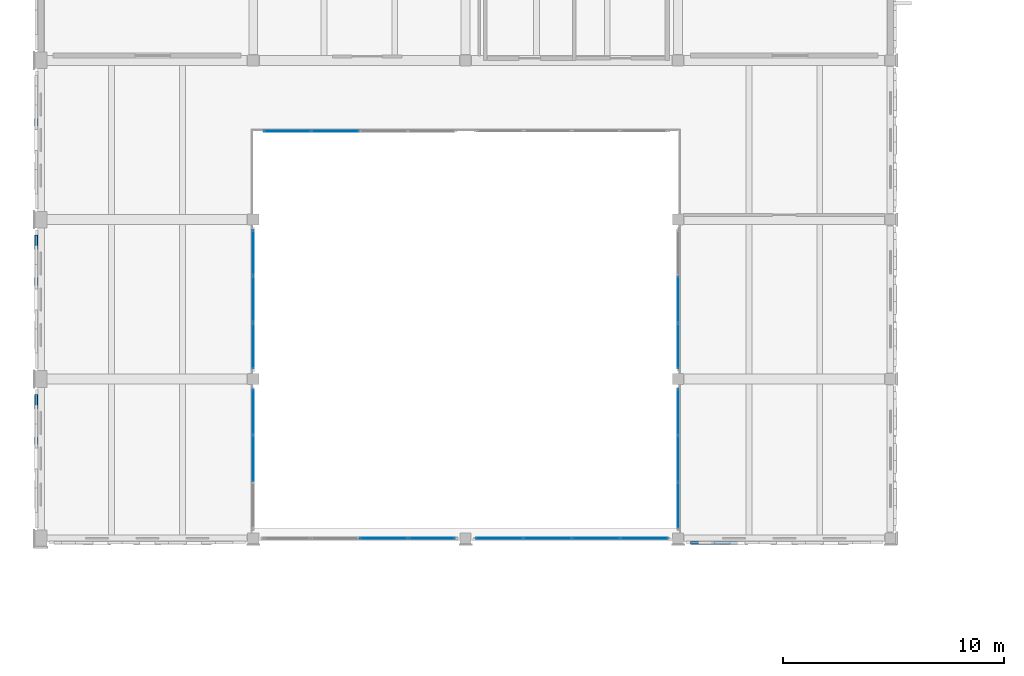
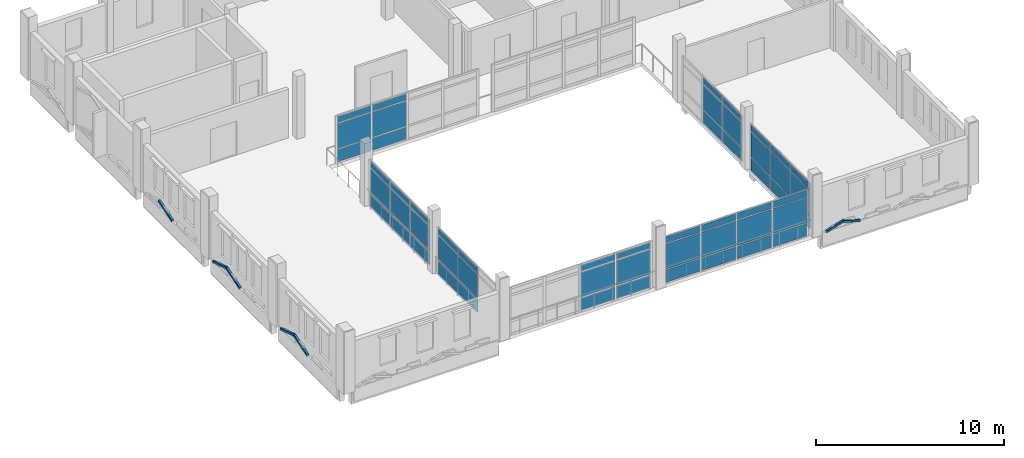
# One storey, part 13 of 24: 61 plates, 7 elements without a shape of their own.
"""IFC4 building model written with IfcOpenShell, lengths in metres."""

import ifcopenshell
import ifcopenshell.guid

model = None  # the IFC model being written
_history = None  # IfcOwnerHistory: only IFC2X3 demands one
_inside = {}  # id of a spatial element -> (the spatial element, [elements in it])
_under = {}  # id of a project, library or spatial element -> (it, [spatial elements below it])
_declared = {}  # id of a project -> (the project, [libraries it declares])
_typed = {}  # id of a type object -> (the type object, [elements of that type])
_made_of = {}  # id of a material, layer set ... -> (it, [elements and type objects made of it])


def new_model(schema):
    """Start an empty IFC model of exactly this schema.

    Asked for "IFC4X3", IfcOpenShell would pick the latest addendum, in which some entities
    have other attributes; the version numbers below select the first issue.
    IFC2X3 requires an IfcOwnerHistory on every rooted entity: one is made here for all.
    """
    global model, _history
    if schema == "IFC4X3":
        model = ifcopenshell.file(schema_version=(4, 3, 0, 0))
    else:
        model = ifcopenshell.file(schema=schema)
    _inside.clear()
    _under.clear()
    _declared.clear()
    _typed.clear()
    _made_of.clear()
    _history = None
    if model.schema == "IFC2X3":
        org = make("IfcOrganization", Name="unknown")
        user = make(
            "IfcPersonAndOrganization",
            ThePerson=make("IfcPerson", FamilyName="unknown"),
            TheOrganization=org,
        )
        app = make(
            "IfcApplication",
            ApplicationDeveloper=org,
            Version="unknown",
            ApplicationFullName="unknown",
            ApplicationIdentifier="unknown",
        )
        _history = make(
            "IfcOwnerHistory",
            OwningUser=user,
            OwningApplication=app,
            ChangeAction="ADDED",
            CreationDate=0,
        )
    return model


def make(cls, **values):
    """One entity of the class cls with the attributes given. An attribute that is None is left unset."""
    return model.create_entity(
        cls, **{name: value for name, value in values.items() if value is not None}
    )


def rooted(cls, **values):
    """An entity with a GlobalId (a new one), such as an element, a storey or a relation."""
    return make(cls, GlobalId=ifcopenshell.guid.new(), OwnerHistory=_history, **values)


def si_unit(unit_type, name, prefix=None):
    """IfcSIUnit, for example si_unit("LENGTHUNIT", "METRE", prefix="MILLI")."""
    return make("IfcSIUnit", UnitType=unit_type, Prefix=prefix, Name=name)


def assignment(units):
    """IfcUnitAssignment: the units of a project."""
    return None if units is None else make("IfcUnitAssignment", Units=units)


def point(xyz):
    """IfcCartesianPoint."""
    return None if xyz is None else make("IfcCartesianPoint", Coordinates=xyz)


def direction(xyz):
    """IfcDirection."""
    return None if xyz is None else make("IfcDirection", DirectionRatios=xyz)


def frame(location, z_axis=None, x_axis=None):
    """IfcAxis2Placement3D, a coordinate frame: its origin and axes. An axis left out is left unset."""
    return make(
        "IfcAxis2Placement3D",
        Location=point(location),
        Axis=direction(z_axis),
        RefDirection=direction(x_axis),
    )


def frame_2d(location, x_axis=None):
    """IfcAxis2Placement2D, a coordinate frame in the plane: its origin and x axis."""
    return make(
        "IfcAxis2Placement2D", Location=point(location), RefDirection=direction(x_axis)
    )


def origin():
    """The frame at (0, 0, 0) with its axes left unset."""
    return frame((0.0, 0.0, 0.0))


def origin_2d():
    """The frame at (0, 0) in the plane with its x axis left unset."""
    return frame_2d((0.0, 0.0))


def place(relative_to, where):
    """IfcLocalPlacement: puts the frame where relative to a parent placement (None: the world)."""
    return make(
        "IfcLocalPlacement", PlacementRelTo=relative_to, RelativePlacement=where
    )


def context(
    kind, dimensions, precision=None, world=None, true_north=None, identifier=None
):
    """IfcGeometricRepresentationContext, for example the 3D "Model" context."""
    return make(
        "IfcGeometricRepresentationContext",
        ContextIdentifier=identifier,
        ContextType=kind,
        CoordinateSpaceDimension=dimensions,
        Precision=precision,
        WorldCoordinateSystem=world,
        TrueNorth=true_north,
    )


def subcontext(parent, identifier, kind, view, scale=None):
    """IfcGeometricRepresentationSubContext, for example "Body" below "Model"."""
    return make(
        "IfcGeometricRepresentationSubContext",
        ContextIdentifier=identifier,
        ContextType=kind,
        ParentContext=parent,
        TargetScale=scale,
        TargetView=view,
    )


def project(units=None, contexts=None):
    """IfcProject with its units and contexts."""
    return rooted(
        "IfcProject",
        Name="project",
        RepresentationContexts=contexts,
        UnitsInContext=assignment(units),
    )


def spatial(cls, under=None, at=None, **own):
    """A site, building, storey or space (cls), placed at a placement, below another one or the project."""
    s = rooted(cls, ObjectPlacement=at, **own)
    if under is not None:
        _under.setdefault(under.id(), (under, []))[1].append(s)
    return s


def profile(cls, at=None, kind="AREA", **sizes):
    """A parametric profile (cls). Its sizes go by their IFC names, for example OverallWidth=200.0."""
    return make(cls, ProfileType=kind, Position=at, **sizes)


def rectangle(**sizes):
    """IfcRectangleProfileDef."""
    return profile("IfcRectangleProfileDef", **sizes)


def hollow_rectangle(**sizes):
    """IfcRectangleHollowProfileDef."""
    return profile("IfcRectangleHollowProfileDef", **sizes)


def extrude(swept, where, along, depth):
    """IfcExtrudedAreaSolid: the profile swept, set in the frame where, extruded along a direction by depth."""
    return make(
        "IfcExtrudedAreaSolid",
        SweptArea=swept,
        Position=where,
        ExtrudedDirection=direction(along),
        Depth=depth,
    )


def shape(context_of_items, identifier, shape_type, items):
    """IfcShapeRepresentation: the items that make up one representation, for example the "Body"."""
    return make(
        "IfcShapeRepresentation",
        ContextOfItems=context_of_items,
        RepresentationIdentifier=identifier,
        RepresentationType=shape_type,
        Items=items,
    )


def material(Name=None, Category=None):
    """IfcMaterial."""
    return make("IfcMaterial", Name=Name, Category=Category)


def layer(
    of_material, thickness, ventilated=None, Name=None, Category=None, Priority=None
):
    """IfcMaterialLayer: one layer of a wall or slab, of a material (None: an air gap)."""
    return make(
        "IfcMaterialLayer",
        Material=of_material,
        LayerThickness=thickness,
        IsVentilated=ventilated,
        Name=Name,
        Category=Category,
        Priority=Priority,
    )


def layer_set(layers, Name=None):
    """IfcMaterialLayerSet."""
    return make("IfcMaterialLayerSet", MaterialLayers=layers, LayerSetName=Name)


def material_profile(
    of_material, cross_section, Name=None, Category=None, Priority=None
):
    """IfcMaterialProfile: a cross section and its material."""
    return make(
        "IfcMaterialProfile",
        Name=Name,
        Material=of_material,
        Profile=cross_section,
        Priority=Priority,
        Category=Category,
    )


def profile_set(profiles, Name=None, composite=None):
    """IfcMaterialProfileSet."""
    return make(
        "IfcMaterialProfileSet",
        Name=Name,
        MaterialProfiles=profiles,
        CompositeProfile=composite,
    )


def made_of(thing, what):
    """Note that an element or type object is made of a material, layer set ...; save() writes the relation."""
    if what is not None:
        _made_of.setdefault(what.id(), (what, []))[1].append(thing)
    return thing


def type_object(cls, material=None, **own):
    """A type object (cls), such as IfcWallType, which elements share."""
    return made_of(rooted(cls, **own), material)


def element(
    cls,
    number,
    at=None,
    inside=None,
    cuts=None,
    type_object=None,
    material=None,
    context=None,
    identifier="Body",
    shape_type=None,
    held_by="IfcProductDefinitionShape",
    body=None,
    shapes=None,
    **own,
):
    """One element of the class cls, such as IfcWall. Its Tag is "e" and its number.

    at: its placement. inside: the storey or other place that contains it. cuts: it is an
    opening in that element (IfcRelVoidsElement). A single representation is given by context,
    identifier, shape_type and body (its items); several are given by shapes. held_by: the class
    of the entity that holds the representations. save() writes the other relations.
    """
    e = rooted(cls, Tag="e%d" % number, ObjectPlacement=at, **own)
    if body is not None:
        shapes = [shape(context, identifier, shape_type, body)]
    if shapes is not None:
        e.Representation = make(held_by, Representations=shapes)
    if inside is not None:
        _inside.setdefault(inside.id(), (inside, []))[1].append(e)
    if cuts is not None:
        rooted(
            "IfcRelVoidsElement", RelatingBuildingElement=cuts, RelatedOpeningElement=e
        )
    if type_object is not None:
        _typed.setdefault(type_object.id(), (type_object, []))[1].append(e)
    return made_of(e, material)


def aggregate(whole, parts):
    """IfcRelAggregates: a whole, such as a stair, and the parts it consists of."""
    return rooted("IfcRelAggregates", RelatingObject=whole, RelatedObjects=parts)


def save(model, path):
    """Write the relations noted so far, then the file.

    IfcRelAggregates (storeys below a building ...), IfcRelContainedInSpatialStructure (elements
    in a storey), IfcRelDefinesByType, IfcRelAssociatesMaterial and IfcRelDeclares: one each for
    every whole, place, type object, material and project.
    """
    for whole, parts in _under.values():
        aggregate(whole, parts)
    for where, things in _inside.values():
        rooted(
            "IfcRelContainedInSpatialStructure",
            RelatedElements=things,
            RelatingStructure=where,
        )
    for kind, things in _typed.values():
        rooted("IfcRelDefinesByType", RelatedObjects=things, RelatingType=kind)
    for what, things in _made_of.values():
        rooted("IfcRelAssociatesMaterial", RelatedObjects=things, RelatingMaterial=what)
    for by, libraries in _declared.values():
        rooted("IfcRelDeclares", RelatingContext=by, RelatedDefinitions=libraries)
    model.write(path)


model = new_model("IFC4")

# Units and contexts
model_context = context("Model", 3, precision=1e-05, world=origin(), true_north=direction((0.0, 1.0)))
body_context = subcontext(model_context, "Body", "Model", "MODEL_VIEW")
ifc_project = project(units=[si_unit("LENGTHUNIT", "METRE"), si_unit("AREAUNIT", "SQUARE_METRE"), si_unit("VOLUMEUNIT", "CUBIC_METRE"), si_unit("PLANEANGLEUNIT", "RADIAN"), si_unit("MASSUNIT", "GRAM", prefix="KILO")], contexts=[model_context])

# Site, building, storey
site_placement = place(None, origin())
site = spatial("IfcSite", under=ifc_project, at=site_placement, CompositionType="ELEMENT")
building_placement = place(site_placement, origin())
building = spatial("IfcBuilding", under=site, at=building_placement, Name="Asteropetra Specialist Clinic", CompositionType="ELEMENT")
storey_placement = place(building_placement, frame((0.0, 0.0, 20.739990234375)))
storey = spatial("IfcBuildingStorey", under=building, at=storey_placement, Name="L05", CompositionType="ELEMENT", Elevation=20.739990234375)

# Plates
ifc_material_1 = material(Name="Chevron emerald aluminium 6063-T6", Category="aluminium")
ifc_material_profile = material_profile(ifc_material_1, hollow_rectangle(XDim=0.139892578125, YDim=0.139892578125, WallThickness=0.008056640625, InnerFilletRadius=0.008056640625, OuterFilletRadius=0.01611328125, at=origin_2d()), Name="SHS 140x140x8.0")
ifc_profile_set = profile_set([ifc_material_profile], Name="Chevron emerald aluminium 6063-T6")
plate_type_1 = type_object("IfcPlateType", Name="CHV-RIB-140", PredefinedType="SHEET", material=ifc_profile_set)
for number, where, z_axis, x_axis, name in (
    (1, (29.389892578125, 76.593017578125, 0.080078125), (0.952098462736, 0.0, 0.305791623914), (0.0, 1.0, 0.0), "Chevron Facade Screen Fin CVR-1661"),
    (2, (30.427490234375, 76.593017578125, 0.413330078125), (0.952098462736, 0.0, -0.305791623914), (0.0, 1.0, 0.0), "Chevron Facade Screen Fin CVR-1662"),
):
    element("IfcPlate", number, at=place(storey_placement, frame(where, z_axis=z_axis, x_axis=x_axis)), inside=storey, type_object=plate_type_1, Name=name, PredefinedType="SHEET", context=body_context, shape_type="SweptSolid", body=[
        extrude(hollow_rectangle(XDim=0.139892578125, YDim=0.139892578125, WallThickness=0.008056640625, InnerFilletRadius=0.008056640625, OuterFilletRadius=0.01611328125, at=origin_2d()), origin(), (0.0, 0.0, 1.0), 1.08984375),
    ])
plate_1_placement = place(storey_placement, frame((-0.20703125, 83.284912109375, 0.080078125), z_axis=(0.0, -0.952491984317, 0.304563654777), x_axis=(1.0, 0.0, 0.0)))
element("IfcPlate", 3, at=plate_1_placement, inside=storey, type_object=plate_type_1, Name="Chevron Facade Screen Fin CVR-1668", PredefinedType="SHEET", context=body_context, shape_type="SweptSolid", body=[
    extrude(hollow_rectangle(XDim=0.139892578125, YDim=0.139892578125, WallThickness=0.008056640625, InnerFilletRadius=0.008056640625, OuterFilletRadius=0.01611328125, at=origin_2d()), origin(), (0.0, 0.0, 1.0), 1.50390625),
])
for number, where, z_axis, x_axis, name in (
    (4, (-0.20703125, 81.8525390625, 0.5380859375), (0.0, -0.952507040007, -0.304516565619), (1.0, 0.0, 0.0), "Chevron Facade Screen Fin CVR-1669"),
    (5, (-0.20703125, 90.485107421875, 0.080078125), (0.0, -0.952507040007, 0.304516565619), (1.0, 0.0, 0.0), "Chevron Facade Screen Fin CVR-1674"),
):
    element("IfcPlate", number, at=place(storey_placement, frame(where, z_axis=z_axis, x_axis=x_axis)), inside=storey, type_object=plate_type_1, Name=name, PredefinedType="SHEET", context=body_context, shape_type="SweptSolid", body=[
        extrude(hollow_rectangle(XDim=0.139892578125, YDim=0.139892578125, WallThickness=0.008056640625, InnerFilletRadius=0.008056640625, OuterFilletRadius=0.01611328125, at=origin_2d()), origin(), (0.0, 0.0, 1.0), 1.504150390625),
    ])
for number, where, z_axis, x_axis, name in (
    (6, (-0.20703125, 89.052490234375, 0.5380859375), (0.0, -0.952491984317, -0.304563654777), (1.0, 0.0, 0.0), "Chevron Facade Screen Fin CVR-1675"),
    (7, (-0.20703125, 96.25244140625, 0.5380859375), (0.0, -0.952491984317, -0.304563654777), (1.0, 0.0, 0.0), "Chevron Facade Screen Fin CVR-1681"),
):
    element("IfcPlate", number, at=place(storey_placement, frame(where, z_axis=z_axis, x_axis=x_axis)), inside=storey, type_object=plate_type_1, Name=name, PredefinedType="SHEET", context=body_context, shape_type="SweptSolid", body=[
        extrude(hollow_rectangle(XDim=0.139892578125, YDim=0.139892578125, WallThickness=0.008056640625, InnerFilletRadius=0.008056640625, OuterFilletRadius=0.01611328125, at=origin_2d()), origin(), (0.0, 0.0, 1.0), 1.50390625),
    ])

# Curtain wall, plates
ifc_material_2 = material(Name="Aluminium and low-E glass", Category="aluminium")
ifc_layer_1 = layer(ifc_material_2, 0.135009765625)
ifc_layer_set_1 = layer_set([ifc_layer_1], Name="Aluminium and low-E glass")
curtain_wall_type_1 = type_object("IfcCurtainWallType", Name="CW-SYS-06", PredefinedType="USERDEFINED", material=ifc_layer_set_1)
curtain_wall_1_placement = place(storey_placement, origin())
curtain_wall_1 = element("IfcCurtainWall", 8, at=curtain_wall_1_placement, inside=storey, type_object=curtain_wall_type_1, Name="Curtain Wall CW-064", ObjectType="UNITISED CURTAIN WALL", PredefinedType="USERDEFINED")
ifc_material_3 = material(Name="Low-E double glazing", Category="glass")
ifc_layer_2 = layer(ifc_material_3, 0.028076171875)
ifc_layer_set_2 = layer_set([ifc_layer_2], Name="Low-E double glazing")
plate_type_2 = type_object("IfcPlateType", Name="CWP-GLZ-28", PredefinedType="CURTAIN_PANEL", material=ifc_layer_set_2)
plate_2_placement = place(storey_placement, frame((28.800048828125, 85.489501953125, 0.06494140625), z_axis=(0.0, 0.0, 1.0), x_axis=(0.0, 1.0, 0.0)))
plate_2 = element("IfcPlate", 9, at=plate_2_placement, type_object=plate_type_2, Name="CW-064 panel 1.1", PredefinedType="CURTAIN_PANEL", context=body_context, shape_type="SweptSolid", body=[
    extrude(rectangle(XDim=2.029052734375, YDim=0.028076171875, at=origin_2d()), origin(), (0.0, 0.0, 1.0), 0.802490234375),
])
plate_3_placement = place(storey_placement, frame((28.800048828125, 85.489501953125, 0.9326171875), z_axis=(0.0, 0.0, 1.0), x_axis=(0.0, 1.0, 0.0)))
plate_3 = element("IfcPlate", 10, at=plate_3_placement, type_object=plate_type_2, Name="CW-064 panel 1.2", PredefinedType="CURTAIN_PANEL", context=body_context, shape_type="SweptSolid", body=[
    extrude(rectangle(XDim=2.029052734375, YDim=0.028076171875, at=origin_2d()), origin(), (0.0, 0.0, 1.0), 1.614990234375),
])
plate_4_placement = place(storey_placement, frame((28.800048828125, 85.489501953125, 2.6123046875), z_axis=(0.0, 0.0, 1.0), x_axis=(0.0, 1.0, 0.0)))
plate_4 = element("IfcPlate", 11, at=plate_4_placement, type_object=plate_type_2, Name="CW-064 panel 1.3", PredefinedType="CURTAIN_PANEL", context=body_context, shape_type="SweptSolid", body=[
    extrude(rectangle(XDim=2.029052734375, YDim=0.028076171875, at=origin_2d()), origin(), (0.0, 0.0, 1.0), 0.402587890625),
])
plate_5_placement = place(storey_placement, frame((28.800048828125, 87.60009765625, 0.06494140625), z_axis=(0.0, 0.0, 1.0), x_axis=(0.0, 1.0, 0.0)))
plate_5 = element("IfcPlate", 12, at=plate_5_placement, type_object=plate_type_2, Name="CW-064 panel 2.1", PredefinedType="CURTAIN_PANEL", context=body_context, shape_type="SweptSolid", body=[
    extrude(rectangle(XDim=2.061767578125, YDim=0.028076171875, at=origin_2d()), origin(), (0.0, 0.0, 1.0), 0.802490234375),
])
plate_6_placement = place(storey_placement, frame((28.800048828125, 87.60009765625, 0.9326171875), z_axis=(0.0, 0.0, 1.0), x_axis=(0.0, 1.0, 0.0)))
plate_6 = element("IfcPlate", 13, at=plate_6_placement, type_object=plate_type_2, Name="CW-064 panel 2.2", PredefinedType="CURTAIN_PANEL", context=body_context, shape_type="SweptSolid", body=[
    extrude(rectangle(XDim=2.061767578125, YDim=0.028076171875, at=origin_2d()), origin(), (0.0, 0.0, 1.0), 1.614990234375),
])
plate_7_placement = place(storey_placement, frame((28.800048828125, 87.60009765625, 2.6123046875), z_axis=(0.0, 0.0, 1.0), x_axis=(0.0, 1.0, 0.0)))
plate_7 = element("IfcPlate", 14, at=plate_7_placement, type_object=plate_type_2, Name="CW-064 panel 2.3", PredefinedType="CURTAIN_PANEL", context=body_context, shape_type="SweptSolid", body=[
    extrude(rectangle(XDim=2.061767578125, YDim=0.028076171875, at=origin_2d()), origin(), (0.0, 0.0, 1.0), 0.402587890625),
])
aggregate(curtain_wall_1, [plate_2, plate_3, plate_4, plate_5, plate_6, plate_7])

ifc_material_4 = material(Name="Aluminium and low-E glass", Category="aluminium")
ifc_layer_3 = layer(ifc_material_4, 0.14990234375)
ifc_layer_set_3 = layer_set([ifc_layer_3], Name="Aluminium and low-E glass")
curtain_wall_type_2 = type_object("IfcCurtainWallType", Name="CW-SYS-02", PredefinedType="USERDEFINED", material=ifc_layer_set_3)
curtain_wall_2_placement = place(storey_placement, origin())
curtain_wall_2 = element("IfcCurtainWall", 15, at=curtain_wall_2_placement, inside=storey, type_object=curtain_wall_type_2, Name="Curtain Wall CW-057", ObjectType="UNITISED CURTAIN WALL", PredefinedType="USERDEFINED")
ifc_material_5 = material(Name="Low-E acoustic double glazing", Category="glass")
ifc_layer_4 = layer(ifc_material_5, 0.031982421875)
ifc_layer_set_4 = layer_set([ifc_layer_4], Name="Low-E acoustic double glazing")
plate_type_3 = type_object("IfcPlateType", Name="CWP-GLZ-32", PredefinedType="CURTAIN_PANEL", material=ifc_layer_set_4)
plate_8_placement = place(storey_placement, frame((15.49755859375, 76.800048828125, 0.074951171875), z_axis=(0.0, 0.0, 1.0), x_axis=(1.0, 0.0, 0.0)))
plate_8 = element("IfcPlate", 16, at=plate_8_placement, type_object=plate_type_3, Name="CW-057 panel 3.1", PredefinedType="CURTAIN_PANEL", context=body_context, shape_type="SweptSolid", body=[
    extrude(rectangle(XDim=2.1201171875, YDim=0.031982421875, at=origin_2d()), origin(), (0.0, 0.0, 1.0), 0.78759765625),
])
plate_9_placement = place(storey_placement, frame((15.49755859375, 76.800048828125, 0.9375), z_axis=(0.0, 0.0, 1.0), x_axis=(1.0, 0.0, 0.0)))
plate_9 = element("IfcPlate", 17, at=plate_9_placement, type_object=plate_type_3, Name="CW-057 panel 3.2", PredefinedType="CURTAIN_PANEL", context=body_context, shape_type="SweptSolid", body=[
    extrude(rectangle(XDim=2.1201171875, YDim=0.031982421875, at=origin_2d()), origin(), (0.0, 0.0, 1.0), 1.60498046875),
])
plate_10_placement = place(storey_placement, frame((15.49755859375, 76.800048828125, 2.61767578125), z_axis=(0.0, 0.0, 1.0), x_axis=(1.0, 0.0, 0.0)))
plate_10 = element("IfcPlate", 18, at=plate_10_placement, type_object=plate_type_3, Name="CW-057 panel 3.3", PredefinedType="CURTAIN_PANEL", context=body_context, shape_type="SweptSolid", body=[
    extrude(rectangle(XDim=2.1201171875, YDim=0.031982421875, at=origin_2d()), origin(), (0.0, 0.0, 1.0), 0.387451171875),
])
plate_11_placement = place(storey_placement, frame((17.673828125, 76.800048828125, 0.074951171875), z_axis=(0.0, 0.0, 1.0), x_axis=(1.0, 0.0, 0.0)))
plate_11 = element("IfcPlate", 19, at=plate_11_placement, type_object=plate_type_3, Name="CW-057 panel 4.1", PredefinedType="CURTAIN_PANEL", context=body_context, shape_type="SweptSolid", body=[
    extrude(rectangle(XDim=2.08251953125, YDim=0.031982421875, at=origin_2d()), origin(), (0.0, 0.0, 1.0), 0.78759765625),
])
plate_12_placement = place(storey_placement, frame((17.673828125, 76.800048828125, 0.9375), z_axis=(0.0, 0.0, 1.0), x_axis=(1.0, 0.0, 0.0)))
plate_12 = element("IfcPlate", 20, at=plate_12_placement, type_object=plate_type_3, Name="CW-057 panel 4.2", PredefinedType="CURTAIN_PANEL", context=body_context, shape_type="SweptSolid", body=[
    extrude(rectangle(XDim=2.08251953125, YDim=0.031982421875, at=origin_2d()), origin(), (0.0, 0.0, 1.0), 1.60498046875),
])
plate_13_placement = place(storey_placement, frame((17.673828125, 76.800048828125, 2.61767578125), z_axis=(0.0, 0.0, 1.0), x_axis=(1.0, 0.0, 0.0)))
plate_13 = element("IfcPlate", 21, at=plate_13_placement, type_object=plate_type_3, Name="CW-057 panel 4.3", PredefinedType="CURTAIN_PANEL", context=body_context, shape_type="SweptSolid", body=[
    extrude(rectangle(XDim=2.08251953125, YDim=0.031982421875, at=origin_2d()), origin(), (0.0, 0.0, 1.0), 0.387451171875),
])
aggregate(curtain_wall_2, [plate_8, plate_9, plate_10, plate_11, plate_12, plate_13])

ifc_material_6 = material(Name="Aluminium and low-E glass", Category="aluminium")
ifc_layer_5 = layer(ifc_material_6, 0.179931640625)
ifc_layer_set_5 = layer_set([ifc_layer_5], Name="Aluminium and low-E glass")
curtain_wall_type_3 = type_object("IfcCurtainWallType", Name="CW-SYS-04", PredefinedType="USERDEFINED", material=ifc_layer_set_5)
curtain_wall_3_placement = place(storey_placement, origin())
curtain_wall_3 = element("IfcCurtainWall", 22, at=curtain_wall_3_placement, inside=storey, type_object=curtain_wall_type_3, Name="Curtain Wall CW-061", ObjectType="UNITISED CURTAIN WALL", PredefinedType="USERDEFINED")
plate_14_placement = place(storey_placement, frame((9.60009765625, 82.510498046875, 0.06494140625), z_axis=(0.0, 0.0, 1.0), x_axis=(0.0, -1.0, 0.0)))
plate_14 = element("IfcPlate", 23, at=plate_14_placement, type_object=plate_type_3, Name="CW-061 panel 1.1", PredefinedType="CURTAIN_PANEL", context=body_context, shape_type="SweptSolid", body=[
    extrude(rectangle(XDim=2.029052734375, YDim=0.031982421875, at=origin_2d()), origin(), (0.0, 0.0, 1.0), 0.802490234375),
])
plate_15_placement = place(storey_placement, frame((9.60009765625, 82.510498046875, 0.9326171875), z_axis=(0.0, 0.0, 1.0), x_axis=(0.0, -1.0, 0.0)))
plate_15 = element("IfcPlate", 24, at=plate_15_placement, type_object=plate_type_3, Name="CW-061 panel 1.2", PredefinedType="CURTAIN_PANEL", context=body_context, shape_type="SweptSolid", body=[
    extrude(rectangle(XDim=2.029052734375, YDim=0.031982421875, at=origin_2d()), origin(), (0.0, 0.0, 1.0), 1.614990234375),
])
plate_16_placement = place(storey_placement, frame((9.60009765625, 82.510498046875, 2.6123046875), z_axis=(0.0, 0.0, 1.0), x_axis=(0.0, -1.0, 0.0)))
plate_16 = element("IfcPlate", 25, at=plate_16_placement, type_object=plate_type_3, Name="CW-061 panel 1.3", PredefinedType="CURTAIN_PANEL", context=body_context, shape_type="SweptSolid", body=[
    extrude(rectangle(XDim=2.029052734375, YDim=0.031982421875, at=origin_2d()), origin(), (0.0, 0.0, 1.0), 0.402587890625),
])
plate_17_placement = place(storey_placement, frame((9.60009765625, 80.39990234375, 0.06494140625), z_axis=(0.0, 0.0, 1.0), x_axis=(0.0, -1.0, 0.0)))
plate_17 = element("IfcPlate", 26, at=plate_17_placement, type_object=plate_type_3, Name="CW-061 panel 2.1", PredefinedType="CURTAIN_PANEL", context=body_context, shape_type="SweptSolid", body=[
    extrude(rectangle(XDim=2.061767578125, YDim=0.031982421875, at=origin_2d()), origin(), (0.0, 0.0, 1.0), 0.802490234375),
])
plate_18_placement = place(storey_placement, frame((9.60009765625, 80.39990234375, 0.9326171875), z_axis=(0.0, 0.0, 1.0), x_axis=(0.0, -1.0, 0.0)))
plate_18 = element("IfcPlate", 27, at=plate_18_placement, type_object=plate_type_3, Name="CW-061 panel 2.2", PredefinedType="CURTAIN_PANEL", context=body_context, shape_type="SweptSolid", body=[
    extrude(rectangle(XDim=2.061767578125, YDim=0.031982421875, at=origin_2d()), origin(), (0.0, 0.0, 1.0), 1.614990234375),
])
plate_19_placement = place(storey_placement, frame((9.60009765625, 80.39990234375, 2.6123046875), z_axis=(0.0, 0.0, 1.0), x_axis=(0.0, -1.0, 0.0)))
plate_19 = element("IfcPlate", 28, at=plate_19_placement, type_object=plate_type_3, Name="CW-061 panel 2.3", PredefinedType="CURTAIN_PANEL", context=body_context, shape_type="SweptSolid", body=[
    extrude(rectangle(XDim=2.061767578125, YDim=0.031982421875, at=origin_2d()), origin(), (0.0, 0.0, 1.0), 0.402587890625),
])
aggregate(curtain_wall_3, [plate_14, plate_15, plate_16, plate_17, plate_18, plate_19])

ifc_material_7 = material(Name="Aluminium and low-E glass", Category="aluminium")
ifc_layer_6 = layer(ifc_material_7, 0.135009765625)
ifc_layer_set_6 = layer_set([ifc_layer_6], Name="Aluminium and low-E glass")
curtain_wall_type_4 = type_object("IfcCurtainWallType", Name="CW-SYS-03", PredefinedType="USERDEFINED", material=ifc_layer_set_6)
curtain_wall_4_placement = place(storey_placement, origin())
curtain_wall_4 = element("IfcCurtainWall", 29, at=curtain_wall_4_placement, inside=storey, type_object=curtain_wall_type_4, Name="Curtain Wall CW-058", ObjectType="UNITISED CURTAIN WALL", PredefinedType="USERDEFINED")
ifc_material_8 = material(Name="Solar-control triple glazing", Category="glass")
ifc_layer_7 = layer(ifc_material_8, 0.035888671875)
ifc_layer_set_7 = layer_set([ifc_layer_7], Name="Solar-control triple glazing")
plate_type_4 = type_object("IfcPlateType", Name="CWP-GLZ-36", PredefinedType="CURTAIN_PANEL", material=ifc_layer_set_7)
plate_20_placement = place(storey_placement, frame((13.31005859375, 95.199951171875, 0.06494140625), z_axis=(0.0, 0.0, 1.0), x_axis=(-1.0, 0.0, 0.0)))
plate_20 = element("IfcPlate", 30, at=plate_20_placement, type_object=plate_type_4, Name="CW-058 panel 3.1", PredefinedType="CURTAIN_PANEL", context=body_context, shape_type="SweptSolid", body=[
    extrude(rectangle(XDim=2.114990234375, YDim=0.035888671875, at=origin_2d()), origin(), (0.0, 0.0, 1.0), 0.802490234375),
])
plate_21_placement = place(storey_placement, frame((13.31005859375, 95.199951171875, 0.9326171875), z_axis=(0.0, 0.0, 1.0), x_axis=(-1.0, 0.0, 0.0)))
plate_21 = element("IfcPlate", 31, at=plate_21_placement, type_object=plate_type_4, Name="CW-058 panel 3.2", PredefinedType="CURTAIN_PANEL", context=body_context, shape_type="SweptSolid", body=[
    extrude(rectangle(XDim=2.114990234375, YDim=0.035888671875, at=origin_2d()), origin(), (0.0, 0.0, 1.0), 1.614990234375),
])
plate_22_placement = place(storey_placement, frame((13.31005859375, 95.199951171875, 2.6123046875), z_axis=(0.0, 0.0, 1.0), x_axis=(-1.0, 0.0, 0.0)))
plate_22 = element("IfcPlate", 32, at=plate_22_placement, type_object=plate_type_4, Name="CW-058 panel 3.3", PredefinedType="CURTAIN_PANEL", context=body_context, shape_type="SweptSolid", body=[
    extrude(rectangle(XDim=2.114990234375, YDim=0.035888671875, at=origin_2d()), origin(), (0.0, 0.0, 1.0), 0.402587890625),
])
plate_23_placement = place(storey_placement, frame((11.146240234375, 95.199951171875, 0.06494140625), z_axis=(0.0, 0.0, 1.0), x_axis=(-1.0, 0.0, 0.0)))
plate_23 = element("IfcPlate", 33, at=plate_23_placement, type_object=plate_type_4, Name="CW-058 panel 4.1", PredefinedType="CURTAIN_PANEL", context=body_context, shape_type="SweptSolid", body=[
    extrude(rectangle(XDim=2.08251953125, YDim=0.035888671875, at=origin_2d()), origin(), (0.0, 0.0, 1.0), 0.802490234375),
])
plate_24_placement = place(storey_placement, frame((11.146240234375, 95.199951171875, 0.9326171875), z_axis=(0.0, 0.0, 1.0), x_axis=(-1.0, 0.0, 0.0)))
plate_24 = element("IfcPlate", 34, at=plate_24_placement, type_object=plate_type_4, Name="CW-058 panel 4.2", PredefinedType="CURTAIN_PANEL", context=body_context, shape_type="SweptSolid", body=[
    extrude(rectangle(XDim=2.08251953125, YDim=0.035888671875, at=origin_2d()), origin(), (0.0, 0.0, 1.0), 1.614990234375),
])
plate_25_placement = place(storey_placement, frame((11.146240234375, 95.199951171875, 2.6123046875), z_axis=(0.0, 0.0, 1.0), x_axis=(-1.0, 0.0, 0.0)))
plate_25 = element("IfcPlate", 35, at=plate_25_placement, type_object=plate_type_4, Name="CW-058 panel 4.3", PredefinedType="CURTAIN_PANEL", context=body_context, shape_type="SweptSolid", body=[
    extrude(rectangle(XDim=2.08251953125, YDim=0.035888671875, at=origin_2d()), origin(), (0.0, 0.0, 1.0), 0.402587890625),
])
aggregate(curtain_wall_4, [plate_20, plate_21, plate_22, plate_23, plate_24, plate_25])

ifc_material_9 = material(Name="Aluminium and low-E glass", Category="aluminium")
ifc_layer_8 = layer(ifc_material_9, 0.14990234375)
ifc_layer_set_8 = layer_set([ifc_layer_8], Name="Aluminium and low-E glass")
curtain_wall_type_5 = type_object("IfcCurtainWallType", Name="CW-SYS-05", PredefinedType="USERDEFINED", material=ifc_layer_set_8)
curtain_wall_5_placement = place(storey_placement, origin())
curtain_wall_5 = element("IfcCurtainWall", 36, at=curtain_wall_5_placement, inside=storey, type_object=curtain_wall_type_5, Name="Curtain Wall CW-062", ObjectType="UNITISED CURTAIN WALL", PredefinedType="USERDEFINED")
plate_26_placement = place(storey_placement, frame((28.800048828125, 78.288330078125, 0.06005859375), z_axis=(0.0, 0.0, 1.0), x_axis=(0.0, 1.0, 0.0)))
plate_26 = element("IfcPlate", 37, at=plate_26_placement, type_object=plate_type_4, Name="CW-062 panel 1.1", PredefinedType="CURTAIN_PANEL", context=body_context, shape_type="SweptSolid", body=[
    extrude(rectangle(XDim=2.03662109375, YDim=0.035888671875, at=origin_2d()), origin(), (0.0, 0.0, 1.0), 0.81005859375),
])
plate_27_placement = place(storey_placement, frame((28.800048828125, 78.288330078125, 0.929931640625), z_axis=(0.0, 0.0, 1.0), x_axis=(0.0, 1.0, 0.0)))
plate_27 = element("IfcPlate", 38, at=plate_27_placement, type_object=plate_type_4, Name="CW-062 panel 1.2", PredefinedType="CURTAIN_PANEL", context=body_context, shape_type="SweptSolid", body=[
    extrude(rectangle(XDim=2.03662109375, YDim=0.035888671875, at=origin_2d()), origin(), (0.0, 0.0, 1.0), 1.6201171875),
])
plate_28_placement = place(storey_placement, frame((28.800048828125, 78.288330078125, 2.60986328125), z_axis=(0.0, 0.0, 1.0), x_axis=(0.0, 1.0, 0.0)))
plate_28 = element("IfcPlate", 39, at=plate_28_placement, type_object=plate_type_4, Name="CW-062 panel 1.3", PredefinedType="CURTAIN_PANEL", context=body_context, shape_type="SweptSolid", body=[
    extrude(rectangle(XDim=2.03662109375, YDim=0.035888671875, at=origin_2d()), origin(), (0.0, 0.0, 1.0), 0.409912109375),
])
plate_29_placement = place(storey_placement, frame((28.800048828125, 80.39990234375, 0.06005859375), z_axis=(0.0, 0.0, 1.0), x_axis=(0.0, 1.0, 0.0)))
plate_29 = element("IfcPlate", 40, at=plate_29_placement, type_object=plate_type_4, Name="CW-062 panel 2.1", PredefinedType="CURTAIN_PANEL", context=body_context, shape_type="SweptSolid", body=[
    extrude(rectangle(XDim=2.066650390625, YDim=0.035888671875, at=origin_2d()), origin(), (0.0, 0.0, 1.0), 0.81005859375),
])
plate_30_placement = place(storey_placement, frame((28.800048828125, 80.39990234375, 0.929931640625), z_axis=(0.0, 0.0, 1.0), x_axis=(0.0, 1.0, 0.0)))
plate_30 = element("IfcPlate", 41, at=plate_30_placement, type_object=plate_type_4, Name="CW-062 panel 2.2", PredefinedType="CURTAIN_PANEL", context=body_context, shape_type="SweptSolid", body=[
    extrude(rectangle(XDim=2.066650390625, YDim=0.035888671875, at=origin_2d()), origin(), (0.0, 0.0, 1.0), 1.6201171875),
])
plate_31_placement = place(storey_placement, frame((28.800048828125, 80.39990234375, 2.60986328125), z_axis=(0.0, 0.0, 1.0), x_axis=(0.0, 1.0, 0.0)))
plate_31 = element("IfcPlate", 42, at=plate_31_placement, type_object=plate_type_4, Name="CW-062 panel 2.3", PredefinedType="CURTAIN_PANEL", context=body_context, shape_type="SweptSolid", body=[
    extrude(rectangle(XDim=2.066650390625, YDim=0.035888671875, at=origin_2d()), origin(), (0.0, 0.0, 1.0), 0.409912109375),
])
plate_32_placement = place(storey_placement, frame((28.800048828125, 82.51171875, 0.06005859375), z_axis=(0.0, 0.0, 1.0), x_axis=(0.0, 1.0, 0.0)))
plate_32 = element("IfcPlate", 43, at=plate_32_placement, type_object=plate_type_4, Name="CW-062 panel 3.1", PredefinedType="CURTAIN_PANEL", context=body_context, shape_type="SweptSolid", body=[
    extrude(rectangle(XDim=2.03662109375, YDim=0.035888671875, at=origin_2d()), origin(), (0.0, 0.0, 1.0), 0.81005859375),
])
plate_33_placement = place(storey_placement, frame((28.800048828125, 82.51171875, 0.929931640625), z_axis=(0.0, 0.0, 1.0), x_axis=(0.0, 1.0, 0.0)))
plate_33 = element("IfcPlate", 44, at=plate_33_placement, type_object=plate_type_4, Name="CW-062 panel 3.2", PredefinedType="CURTAIN_PANEL", context=body_context, shape_type="SweptSolid", body=[
    extrude(rectangle(XDim=2.03662109375, YDim=0.035888671875, at=origin_2d()), origin(), (0.0, 0.0, 1.0), 1.6201171875),
])
plate_34_placement = place(storey_placement, frame((28.800048828125, 82.51171875, 2.60986328125), z_axis=(0.0, 0.0, 1.0), x_axis=(0.0, 1.0, 0.0)))
plate_34 = element("IfcPlate", 45, at=plate_34_placement, type_object=plate_type_4, Name="CW-062 panel 3.3", PredefinedType="CURTAIN_PANEL", context=body_context, shape_type="SweptSolid", body=[
    extrude(rectangle(XDim=2.03662109375, YDim=0.035888671875, at=origin_2d()), origin(), (0.0, 0.0, 1.0), 0.409912109375),
])
aggregate(curtain_wall_5, [plate_26, plate_27, plate_28, plate_29, plate_30, plate_31, plate_32, plate_33, plate_34])

curtain_wall_6_placement = place(storey_placement, origin())
curtain_wall_6 = element("IfcCurtainWall", 46, at=curtain_wall_6_placement, inside=storey, type_object=curtain_wall_type_4, Name="Curtain Wall CW-059", ObjectType="UNITISED CURTAIN WALL", PredefinedType="USERDEFINED")
ifc_material_10 = material(Name="Laminated skylight glazing", Category="glass")
ifc_layer_9 = layer(ifc_material_10, 0.0400390625)
ifc_layer_set_9 = layer_set([ifc_layer_9], Name="Laminated skylight glazing")
plate_type_5 = type_object("IfcPlateType", Name="CWP-GLZ-40", PredefinedType="CURTAIN_PANEL", material=ifc_layer_set_9)
plate_35_placement = place(storey_placement, frame((20.722412109375, 76.800048828125, 0.06005859375), z_axis=(0.0, 0.0, 1.0), x_axis=(1.0, 0.0, 0.0)))
plate_35 = element("IfcPlate", 47, at=plate_35_placement, type_object=plate_type_5, Name="CW-059 panel 1.1", PredefinedType="CURTAIN_PANEL", context=body_context, shape_type="SweptSolid", body=[
    extrude(rectangle(XDim=2.10498046875, YDim=0.0400390625, at=origin_2d()), origin(), (0.0, 0.0, 1.0), 0.81005859375),
])
plate_36_placement = place(storey_placement, frame((20.722412109375, 76.800048828125, 0.929931640625), z_axis=(0.0, 0.0, 1.0), x_axis=(1.0, 0.0, 0.0)))
plate_36 = element("IfcPlate", 48, at=plate_36_placement, type_object=plate_type_5, Name="CW-059 panel 1.2", PredefinedType="CURTAIN_PANEL", context=body_context, shape_type="SweptSolid", body=[
    extrude(rectangle(XDim=2.10498046875, YDim=0.0400390625, at=origin_2d()), origin(), (0.0, 0.0, 1.0), 1.6201171875),
])
plate_37_placement = place(storey_placement, frame((20.722412109375, 76.800048828125, 2.60986328125), z_axis=(0.0, 0.0, 1.0), x_axis=(1.0, 0.0, 0.0)))
plate_37 = element("IfcPlate", 49, at=plate_37_placement, type_object=plate_type_5, Name="CW-059 panel 1.3", PredefinedType="CURTAIN_PANEL", context=body_context, shape_type="SweptSolid", body=[
    extrude(rectangle(XDim=2.10498046875, YDim=0.0400390625, at=origin_2d()), origin(), (0.0, 0.0, 1.0), 0.409912109375),
])
plate_38_placement = place(storey_placement, frame((22.902587890625, 76.800048828125, 0.06005859375), z_axis=(0.0, 0.0, 1.0), x_axis=(1.0, 0.0, 0.0)))
plate_38 = element("IfcPlate", 50, at=plate_38_placement, type_object=plate_type_5, Name="CW-059 panel 2.1", PredefinedType="CURTAIN_PANEL", context=body_context, shape_type="SweptSolid", body=[
    extrude(rectangle(XDim=2.135009765625, YDim=0.0400390625, at=origin_2d()), origin(), (0.0, 0.0, 1.0), 0.81005859375),
])
plate_39_placement = place(storey_placement, frame((22.902587890625, 76.800048828125, 0.929931640625), z_axis=(0.0, 0.0, 1.0), x_axis=(1.0, 0.0, 0.0)))
plate_39 = element("IfcPlate", 51, at=plate_39_placement, type_object=plate_type_5, Name="CW-059 panel 2.2", PredefinedType="CURTAIN_PANEL", context=body_context, shape_type="SweptSolid", body=[
    extrude(rectangle(XDim=2.135009765625, YDim=0.0400390625, at=origin_2d()), origin(), (0.0, 0.0, 1.0), 1.6201171875),
])
plate_40_placement = place(storey_placement, frame((22.902587890625, 76.800048828125, 2.60986328125), z_axis=(0.0, 0.0, 1.0), x_axis=(1.0, 0.0, 0.0)))
plate_40 = element("IfcPlate", 52, at=plate_40_placement, type_object=plate_type_5, Name="CW-059 panel 2.3", PredefinedType="CURTAIN_PANEL", context=body_context, shape_type="SweptSolid", body=[
    extrude(rectangle(XDim=2.135009765625, YDim=0.0400390625, at=origin_2d()), origin(), (0.0, 0.0, 1.0), 0.409912109375),
])
plate_41_placement = place(storey_placement, frame((25.097412109375, 76.800048828125, 0.06005859375), z_axis=(0.0, 0.0, 1.0), x_axis=(1.0, 0.0, 0.0)))
plate_41 = element("IfcPlate", 53, at=plate_41_placement, type_object=plate_type_5, Name="CW-059 panel 3.1", PredefinedType="CURTAIN_PANEL", context=body_context, shape_type="SweptSolid", body=[
    extrude(rectangle(XDim=2.135009765625, YDim=0.0400390625, at=origin_2d()), origin(), (0.0, 0.0, 1.0), 0.81005859375),
])
plate_42_placement = place(storey_placement, frame((25.097412109375, 76.800048828125, 0.929931640625), z_axis=(0.0, 0.0, 1.0), x_axis=(1.0, 0.0, 0.0)))
plate_42 = element("IfcPlate", 54, at=plate_42_placement, type_object=plate_type_5, Name="CW-059 panel 3.2", PredefinedType="CURTAIN_PANEL", context=body_context, shape_type="SweptSolid", body=[
    extrude(rectangle(XDim=2.135009765625, YDim=0.0400390625, at=origin_2d()), origin(), (0.0, 0.0, 1.0), 1.6201171875),
])
plate_43_placement = place(storey_placement, frame((25.097412109375, 76.800048828125, 2.60986328125), z_axis=(0.0, 0.0, 1.0), x_axis=(1.0, 0.0, 0.0)))
plate_43 = element("IfcPlate", 55, at=plate_43_placement, type_object=plate_type_5, Name="CW-059 panel 3.3", PredefinedType="CURTAIN_PANEL", context=body_context, shape_type="SweptSolid", body=[
    extrude(rectangle(XDim=2.135009765625, YDim=0.0400390625, at=origin_2d()), origin(), (0.0, 0.0, 1.0), 0.409912109375),
])
plate_44_placement = place(storey_placement, frame((27.277587890625, 76.800048828125, 0.06005859375), z_axis=(0.0, 0.0, 1.0), x_axis=(1.0, 0.0, 0.0)))
plate_44 = element("IfcPlate", 56, at=plate_44_placement, type_object=plate_type_5, Name="CW-059 panel 4.1", PredefinedType="CURTAIN_PANEL", context=body_context, shape_type="SweptSolid", body=[
    extrude(rectangle(XDim=2.10498046875, YDim=0.0400390625, at=origin_2d()), origin(), (0.0, 0.0, 1.0), 0.81005859375),
])
plate_45_placement = place(storey_placement, frame((27.277587890625, 76.800048828125, 0.929931640625), z_axis=(0.0, 0.0, 1.0), x_axis=(1.0, 0.0, 0.0)))
plate_45 = element("IfcPlate", 57, at=plate_45_placement, type_object=plate_type_5, Name="CW-059 panel 4.2", PredefinedType="CURTAIN_PANEL", context=body_context, shape_type="SweptSolid", body=[
    extrude(rectangle(XDim=2.10498046875, YDim=0.0400390625, at=origin_2d()), origin(), (0.0, 0.0, 1.0), 1.6201171875),
])
plate_46_placement = place(storey_placement, frame((27.277587890625, 76.800048828125, 2.60986328125), z_axis=(0.0, 0.0, 1.0), x_axis=(1.0, 0.0, 0.0)))
plate_46 = element("IfcPlate", 58, at=plate_46_placement, type_object=plate_type_5, Name="CW-059 panel 4.3", PredefinedType="CURTAIN_PANEL", context=body_context, shape_type="SweptSolid", body=[
    extrude(rectangle(XDim=2.10498046875, YDim=0.0400390625, at=origin_2d()), origin(), (0.0, 0.0, 1.0), 0.409912109375),
])
aggregate(curtain_wall_6, [plate_35, plate_36, plate_37, plate_38, plate_39, plate_40, plate_41, plate_42, plate_43, plate_44, plate_45, plate_46])

curtain_wall_7_placement = place(storey_placement, origin())
curtain_wall_7 = element("IfcCurtainWall", 59, at=curtain_wall_7_placement, inside=storey, type_object=curtain_wall_type_5, Name="Curtain Wall CW-063", ObjectType="UNITISED CURTAIN WALL", PredefinedType="USERDEFINED")
plate_47_placement = place(storey_placement, frame((9.60009765625, 89.7080078125, 0.074951171875), z_axis=(0.0, 0.0, 1.0), x_axis=(0.0, -1.0, 0.0)))
plate_47 = element("IfcPlate", 60, at=plate_47_placement, type_object=plate_type_5, Name="CW-063 panel 1.1", PredefinedType="CURTAIN_PANEL", context=body_context, shape_type="SweptSolid", body=[
    extrude(rectangle(XDim=2.01416015625, YDim=0.0400390625, at=origin_2d()), origin(), (0.0, 0.0, 1.0), 0.78759765625),
])
plate_48_placement = place(storey_placement, frame((9.60009765625, 89.7080078125, 0.9375), z_axis=(0.0, 0.0, 1.0), x_axis=(0.0, -1.0, 0.0)))
plate_48 = element("IfcPlate", 61, at=plate_48_placement, type_object=plate_type_5, Name="CW-063 panel 1.2", PredefinedType="CURTAIN_PANEL", context=body_context, shape_type="SweptSolid", body=[
    extrude(rectangle(XDim=2.01416015625, YDim=0.0400390625, at=origin_2d()), origin(), (0.0, 0.0, 1.0), 1.60498046875),
])
plate_49_placement = place(storey_placement, frame((9.60009765625, 89.7080078125, 2.61767578125), z_axis=(0.0, 0.0, 1.0), x_axis=(0.0, -1.0, 0.0)))
plate_49 = element("IfcPlate", 62, at=plate_49_placement, type_object=plate_type_5, Name="CW-063 panel 1.3", PredefinedType="CURTAIN_PANEL", context=body_context, shape_type="SweptSolid", body=[
    extrude(rectangle(XDim=2.01416015625, YDim=0.0400390625, at=origin_2d()), origin(), (0.0, 0.0, 1.0), 0.387451171875),
])
plate_50_placement = place(storey_placement, frame((9.60009765625, 87.60009765625, 0.074951171875), z_axis=(0.0, 0.0, 1.0), x_axis=(0.0, -1.0, 0.0)))
plate_50 = element("IfcPlate", 63, at=plate_50_placement, type_object=plate_type_5, Name="CW-063 panel 2.1", PredefinedType="CURTAIN_PANEL", context=body_context, shape_type="SweptSolid", body=[
    extrude(rectangle(XDim=2.0517578125, YDim=0.0400390625, at=origin_2d()), origin(), (0.0, 0.0, 1.0), 0.78759765625),
])
plate_51_placement = place(storey_placement, frame((9.60009765625, 87.60009765625, 0.9375), z_axis=(0.0, 0.0, 1.0), x_axis=(0.0, -1.0, 0.0)))
plate_51 = element("IfcPlate", 64, at=plate_51_placement, type_object=plate_type_5, Name="CW-063 panel 2.2", PredefinedType="CURTAIN_PANEL", context=body_context, shape_type="SweptSolid", body=[
    extrude(rectangle(XDim=2.0517578125, YDim=0.0400390625, at=origin_2d()), origin(), (0.0, 0.0, 1.0), 1.60498046875),
])
plate_52_placement = place(storey_placement, frame((9.60009765625, 87.60009765625, 2.61767578125), z_axis=(0.0, 0.0, 1.0), x_axis=(0.0, -1.0, 0.0)))
plate_52 = element("IfcPlate", 65, at=plate_52_placement, type_object=plate_type_5, Name="CW-063 panel 2.3", PredefinedType="CURTAIN_PANEL", context=body_context, shape_type="SweptSolid", body=[
    extrude(rectangle(XDim=2.0517578125, YDim=0.0400390625, at=origin_2d()), origin(), (0.0, 0.0, 1.0), 0.387451171875),
])
plate_53_placement = place(storey_placement, frame((9.60009765625, 85.4921875, 0.074951171875), z_axis=(0.0, 0.0, 1.0), x_axis=(0.0, -1.0, 0.0)))
plate_53 = element("IfcPlate", 66, at=plate_53_placement, type_object=plate_type_5, Name="CW-063 panel 3.1", PredefinedType="CURTAIN_PANEL", context=body_context, shape_type="SweptSolid", body=[
    extrude(rectangle(XDim=2.01416015625, YDim=0.0400390625, at=origin_2d()), origin(), (0.0, 0.0, 1.0), 0.78759765625),
])
plate_54_placement = place(storey_placement, frame((9.60009765625, 85.4921875, 0.9375), z_axis=(0.0, 0.0, 1.0), x_axis=(0.0, -1.0, 0.0)))
plate_54 = element("IfcPlate", 67, at=plate_54_placement, type_object=plate_type_5, Name="CW-063 panel 3.2", PredefinedType="CURTAIN_PANEL", context=body_context, shape_type="SweptSolid", body=[
    extrude(rectangle(XDim=2.01416015625, YDim=0.0400390625, at=origin_2d()), origin(), (0.0, 0.0, 1.0), 1.60498046875),
])
plate_55_placement = place(storey_placement, frame((9.60009765625, 85.4921875, 2.61767578125), z_axis=(0.0, 0.0, 1.0), x_axis=(0.0, -1.0, 0.0)))
plate_55 = element("IfcPlate", 68, at=plate_55_placement, type_object=plate_type_5, Name="CW-063 panel 3.3", PredefinedType="CURTAIN_PANEL", context=body_context, shape_type="SweptSolid", body=[
    extrude(rectangle(XDim=2.01416015625, YDim=0.0400390625, at=origin_2d()), origin(), (0.0, 0.0, 1.0), 0.387451171875),
])
aggregate(curtain_wall_7, [plate_47, plate_48, plate_49, plate_50, plate_51, plate_52, plate_53, plate_54, plate_55])

save(model, "model.ifc")
